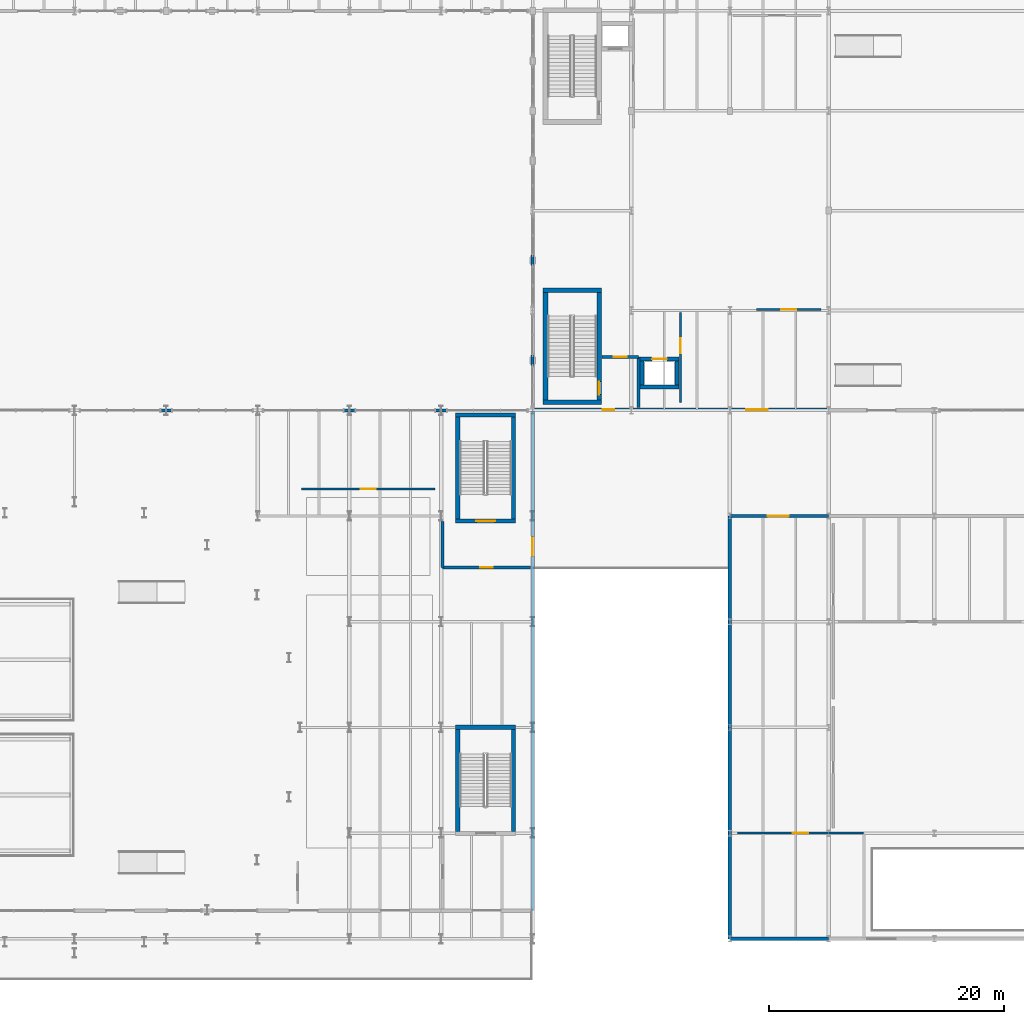
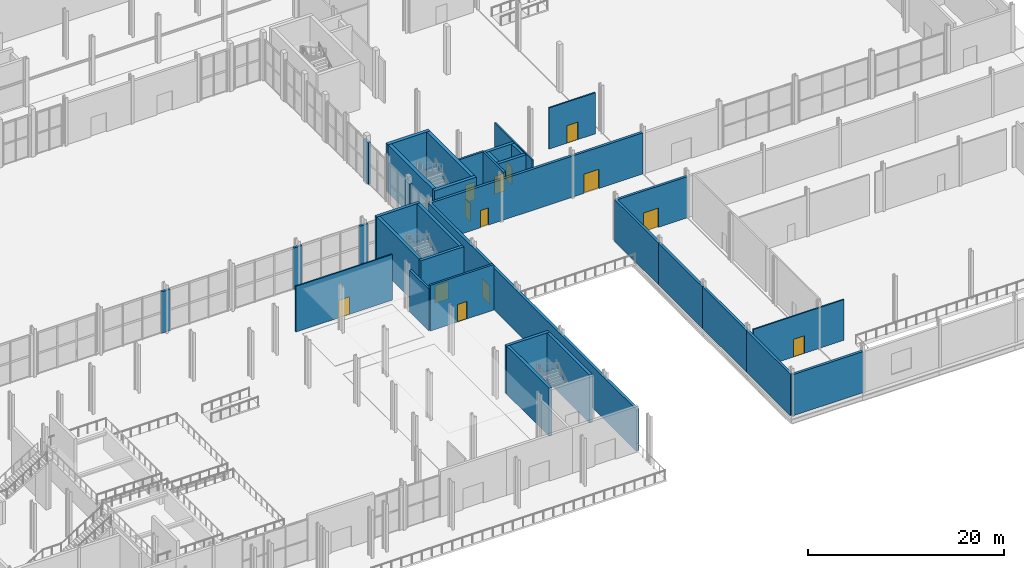
# One storey, part 57 of 84: 36 walls, 13 doors, 13 openings.
"""IFC4 building model written with IfcOpenShell, lengths in metres."""

from ifc_helpers import new_model, si_unit, direction, frame, frame_2d, origin, place, context, subcontext, project, spatial, rectangle, extrude, material, layer, layer_set, type_object, element, fill, save


model = new_model("IFC4")

# Units and contexts
model_context = context("Model", 3, precision=1e-05, world=origin(), true_north=direction((0.0, 1.0)))
body_context = subcontext(model_context, "Body", "Model", "MODEL_VIEW")
ifc_project = project(units=[si_unit("LENGTHUNIT", "METRE"), si_unit("AREAUNIT", "SQUARE_METRE"), si_unit("VOLUMEUNIT", "CUBIC_METRE"), si_unit("PLANEANGLEUNIT", "RADIAN"), si_unit("MASSUNIT", "GRAM", prefix="KILO")], contexts=[model_context])

# Site, building, storey
site_placement = place(None, origin())
site = spatial("IfcSite", under=ifc_project, at=site_placement, CompositionType="ELEMENT")
building_placement = place(site_placement, origin())
building = spatial("IfcBuilding", under=site, at=building_placement, Name="Sefraquen Railside Congress Hotel", CompositionType="ELEMENT")
storey_placement = place(building_placement, origin())
storey = spatial("IfcBuildingStorey", under=building, at=storey_placement, Name="L00", CompositionType="ELEMENT", Elevation=0.0)

# Walls
ifc_material_1 = material(Name="Concrete C50/60", Category="concrete")
ifc_layer_1 = layer(ifc_material_1, 0.35009765625)
ifc_layer_set_1 = layer_set([ifc_layer_1], Name="Concrete C50/60")
wall_type_1 = type_object("IfcWallType", Name="TW-CW-350", PredefinedType="SHEAR", material=ifc_layer_set_1)
wall_1_placement = place(storey_placement, frame((96.64990234375, 27.014892578125, 0.0), z_axis=(0.0, 0.0, 1.0), x_axis=(1.0, 0.0, 0.0)))
element("IfcWall", 1, at=wall_1_placement, inside=storey, type_object=wall_type_1, Name="Core shear wall ST-C03 N L00", PredefinedType="SHEAR", context=body_context, shape_type="SweptSolid", body=[
    extrude(rectangle(XDim=5.10009765625, YDim=0.35009765625, at=frame_2d((2.550048828125, 0.0))), origin(), (0.0, 0.0, 1.0), 6.0),
])
for number, where, z_axis, x_axis, name in (
    (2, (96.824951171875, 18.159912109375, 0.0), (0.0, 0.0, 1.0), (0.0, 1.0, 0.0), "Core shear wall ST-C03 W L00"),
    (3, (101.574951171875, 18.159912109375, 0.0), (0.0, 0.0, 1.0), (0.0, 1.0, 0.0), "Core shear wall ST-C03 E L00"),
):
    element("IfcWall", number, at=place(storey_placement, frame(where, z_axis=z_axis, x_axis=x_axis)), inside=storey, type_object=wall_type_1, Name=name, PredefinedType="SHEAR", context=body_context, shape_type="SweptSolid", body=[
        extrude(rectangle(XDim=8.68017578125, YDim=0.35009765625, at=frame_2d((4.340087890625, 0.0))), origin(), (0.0, 0.0, 1.0), 6.0),
    ])
wall_2_placement = place(storey_placement, frame((96.64990234375, 53.60498046875, 0.0), z_axis=(0.0, 0.0, 1.0), x_axis=(1.0, 0.0, 0.0)))
element("IfcWall", 4, at=wall_2_placement, inside=storey, type_object=wall_type_1, Name="Core shear wall ST-C04 N L00", PredefinedType="SHEAR", context=body_context, shape_type="SweptSolid", body=[
    extrude(rectangle(XDim=5.10009765625, YDim=0.35009765625, at=frame_2d((2.550048828125, 0.0))), origin(), (0.0, 0.0, 1.0), 6.0),
])

# Wall, opening, door
wall_3_placement = place(storey_placement, frame((96.64990234375, 44.574951171875, 0.0), z_axis=(0.0, 0.0, 1.0), x_axis=(1.0, 0.0, 0.0)))
wall_3 = element("IfcWall", 5, at=wall_3_placement, inside=storey, type_object=wall_type_1, Name="Core shear wall ST-C04 S L00", PredefinedType="SHEAR", context=body_context, shape_type="SweptSolid", body=[
    extrude(rectangle(XDim=5.10009765625, YDim=0.35009765625, at=frame_2d((2.550048828125, 0.0))), origin(), (0.0, 0.0, 1.0), 6.0),
])
opening_1_placement = place(wall_3_placement, frame((1.75, 0.0, 0.0)))
opening_1 = element("IfcOpeningElement", 6, at=opening_1_placement, cuts=wall_3, Name="Opening FD-02", PredefinedType="OPENING", context=body_context, shape_type="SweptSolid", body=[
    extrude(rectangle(XDim=1.60009765625, YDim=2.199951171875, at=frame_2d((0.800048828125, 1.10009765625))), frame((0.0, 0.18505859375, 0.0), z_axis=(0.0, -1.0, 0.0), x_axis=(1.0, 0.0, 0.0)), (0.0, 0.0, 1.0), 0.3701171875),
])
ifc_material_2 = material(Name="Fire-rated steel", Category="steel")
door_type_1 = type_object("IfcDoorType", Name="TD-FD-02", OperationType="NOTDEFINED", PredefinedType="DOOR", material=ifc_material_2)
door_1_placement = place(opening_1_placement, frame((1.60009765625, 0.0, 0.0), z_axis=(0.0, 0.0, 1.0), x_axis=(-1.0, 0.0, 0.0)))
door_1 = element("IfcDoor", 7, at=door_1_placement, inside=storey, type_object=door_type_1, Name="Pressurized stair ST-C04 fire door L00", OperationType="SINGLE_SWING_LEFT", OverallHeight=2.199951171875, OverallWidth=1.60009765625, PredefinedType="DOOR", context=body_context, shape_type="SweptSolid", body=[
    extrude(rectangle(XDim=1.60009765625, YDim=2.199951171875, at=frame_2d((0.800048828125, 1.10009765625))), frame((0.0, 0.02490234375, 0.0), z_axis=(0.0, -1.0, 0.0), x_axis=(1.0, 0.0, 0.0)), (0.0, 0.0, 1.0), 0.050048828125),
])
fill(opening_1, door_1)

# Walls
for number, where, z_axis, x_axis, name in (
    (8, (96.824951171875, 44.75, 0.0), (0.0, 0.0, 1.0), (0.0, 1.0, 0.0), "Core shear wall ST-C04 W L00"),
    (9, (101.574951171875, 44.75, 0.0), (0.0, 0.0, 1.0), (0.0, 1.0, 0.0), "Core shear wall ST-C04 E L00"),
):
    element("IfcWall", number, at=place(storey_placement, frame(where, z_axis=z_axis, x_axis=x_axis)), inside=storey, type_object=wall_type_1, Name=name, PredefinedType="SHEAR", context=body_context, shape_type="SweptSolid", body=[
        extrude(rectangle(XDim=8.679931640625, YDim=0.35009765625, at=frame_2d((4.33984375, 0.0))), origin(), (0.0, 0.0, 1.0), 6.0),
    ])

# Wall, opening, door
wall_4_placement = place(storey_placement, frame((112.330078125, 58.364990234375, 0.0), z_axis=(0.0, 0.0, 1.0), x_axis=(1.0, 0.0, 0.0)))
wall_4 = element("IfcWall", 10, at=wall_4_placement, inside=storey, type_object=wall_type_1, Name="Lift SL-01 shaft wall N L00", PredefinedType="SHEAR", context=body_context, shape_type="SweptSolid", body=[
    extrude(rectangle(XDim=3.33984375, YDim=0.35009765625, at=frame_2d((1.669921875, 0.0))), origin(), (0.0, 0.0, 1.0), 5.699951171875),
])
opening_2_placement = place(wall_4_placement, frame((1.044921875, 0.0, 0.0)))
opening_2 = element("IfcOpeningElement", 11, at=opening_2_placement, cuts=wall_4, Name="Opening LD-02", PredefinedType="OPENING", context=body_context, shape_type="SweptSolid", body=[
    extrude(rectangle(XDim=1.25, YDim=2.25, at=frame_2d((0.625, 1.125))), frame((0.0, 0.18505859375, 0.0), z_axis=(0.0, -1.0, 0.0), x_axis=(1.0, 0.0, 0.0)), (0.0, 0.0, 1.0), 0.3701171875),
])
ifc_material_3 = material(Name="Brushed stainless steel", Category="steel")
door_type_2 = type_object("IfcDoorType", Name="TD-LD-02", OperationType="NOTDEFINED", PredefinedType="DOOR", material=ifc_material_3)
door_2_placement = place(opening_2_placement, origin())
door_2 = element("IfcDoor", 12, at=door_2_placement, inside=storey, type_object=door_type_2, Name="Lift landing door SL-01 L00", OperationType="SLIDING_TO_LEFT", OverallHeight=2.25, OverallWidth=1.25, PredefinedType="DOOR", context=body_context, shape_type="SweptSolid", body=[
    extrude(rectangle(XDim=1.25, YDim=2.25, at=frame_2d((0.625, 1.125))), frame((0.0, 0.02490234375, 0.0), z_axis=(0.0, -1.0, 0.0), x_axis=(1.0, 0.0, 0.0)), (0.0, 0.0, 1.0), 0.050048828125),
])
fill(opening_2, door_2)

# Walls
wall_5_placement = place(storey_placement, frame((112.330078125, 55.97509765625, 0.0), z_axis=(0.0, 0.0, 1.0), x_axis=(1.0, 0.0, 0.0)))
element("IfcWall", 13, at=wall_5_placement, inside=storey, type_object=wall_type_1, Name="Lift SL-01 shaft wall S L00", PredefinedType="SHEAR", context=body_context, shape_type="SweptSolid", body=[
    extrude(rectangle(XDim=3.33984375, YDim=0.35009765625, at=frame_2d((1.669921875, 0.0))), origin(), (0.0, 0.0, 1.0), 5.699951171875),
])
for number, where, z_axis, x_axis, name in (
    (14, (112.5048828125, 56.14990234375, 0.0), (0.0, 0.0, 1.0), (0.0, 1.0, 0.0), "Lift SL-01 shaft wall W L00"),
    (15, (115.4951171875, 56.14990234375, 0.0), (0.0, 0.0, 1.0), (0.0, 1.0, 0.0), "Lift SL-01 shaft wall E L00"),
):
    element("IfcWall", number, at=place(storey_placement, frame(where, z_axis=z_axis, x_axis=x_axis)), inside=storey, type_object=wall_type_1, Name=name, PredefinedType="SHEAR", context=body_context, shape_type="SweptSolid", body=[
        extrude(rectangle(XDim=2.0400390625, YDim=0.35009765625, at=frame_2d((1.02001953125, 0.0))), origin(), (0.0, 0.0, 1.0), 5.699951171875),
    ])
ifc_layer_2 = layer(ifc_material_1, 0.39990234375)
ifc_layer_set_2 = layer_set([ifc_layer_2], Name="Concrete C50/60")
wall_type_2 = type_object("IfcWallType", Name="TW-CW-400", PredefinedType="SHEAR", material=ifc_layer_set_2)
for number, where, z_axis, x_axis, name in (
    (16, (104.10009765625, 64.2119140625, 0.0), (0.0, 0.0, 1.0), (1.0, 0.0, 0.0), "Core shear wall ST-M02 N L00"),
    (17, (104.10009765625, 54.699951171875, 0.0), (0.0, 0.0, 1.0), (1.0, 0.0, 0.0), "Core shear wall ST-M02 S L00"),
):
    element("IfcWall", number, at=place(storey_placement, frame(where, z_axis=z_axis, x_axis=x_axis)), inside=storey, type_object=wall_type_2, Name=name, PredefinedType="SHEAR", context=body_context, shape_type="SweptSolid", body=[
        extrude(rectangle(XDim=4.9599609375, YDim=0.39990234375, at=frame_2d((2.47998046875, 0.0))), origin(), (0.0, 0.0, 1.0), 6.0),
    ])
wall_6_placement = place(storey_placement, frame((104.300048828125, 54.89990234375, 0.0), z_axis=(0.0, 0.0, 1.0), x_axis=(0.0, 1.0, 0.0)))
element("IfcWall", 18, at=wall_6_placement, inside=storey, type_object=wall_type_2, Name="Core shear wall ST-M02 W L00", PredefinedType="SHEAR", context=body_context, shape_type="SweptSolid", body=[
    extrude(rectangle(XDim=9.112060546875, YDim=0.39990234375, at=frame_2d((4.55615234375, 0.0))), origin(), (0.0, 0.0, 1.0), 6.0),
])

# Wall, opening, door
wall_7_placement = place(storey_placement, frame((108.860107421875, 54.89990234375, 0.0), z_axis=(0.0, 0.0, 1.0), x_axis=(0.0, 1.0, 0.0)))
wall_7 = element("IfcWall", 19, at=wall_7_placement, inside=storey, type_object=wall_type_2, Name="Core shear wall ST-M02 E L00", PredefinedType="SHEAR", context=body_context, shape_type="SweptSolid", body=[
    extrude(rectangle(XDim=9.112060546875, YDim=0.39990234375, at=frame_2d((4.55615234375, 0.0))), origin(), (0.0, 0.0, 1.0), 6.0),
])
opening_3_placement = place(wall_7_placement, frame((0.43994140625, 0.0, 0.0)))
opening_3 = element("IfcOpeningElement", 20, at=opening_3_placement, cuts=wall_7, Name="Opening FD-04", PredefinedType="OPENING", context=body_context, shape_type="SweptSolid", body=[
    extrude(rectangle(XDim=1.10009765625, YDim=2.199951171875, at=frame_2d((0.550048828125, 1.10009765625))), frame((0.0, 0.2099609375, 0.0), z_axis=(0.0, -1.0, 0.0), x_axis=(1.0, 0.0, 0.0)), (0.0, 0.0, 1.0), 0.419921875),
])
door_type_3 = type_object("IfcDoorType", Name="TD-FD-04", OperationType="NOTDEFINED", PredefinedType="DOOR", material=ifc_material_2)
door_3_placement = place(opening_3_placement, origin())
door_3 = element("IfcDoor", 21, at=door_3_placement, inside=storey, type_object=door_type_3, Name="Pressurized stair ST-M02 fire door L00", OperationType="SINGLE_SWING_RIGHT", OverallHeight=2.199951171875, OverallWidth=1.10009765625, PredefinedType="DOOR", context=body_context, shape_type="SweptSolid", body=[
    extrude(rectangle(XDim=1.10009765625, YDim=2.199951171875, at=frame_2d((0.550048828125, 1.10009765625))), frame((0.0, 0.02490234375, 0.0), z_axis=(0.0, -1.0, 0.0), x_axis=(1.0, 0.0, 0.0)), (0.0, 0.0, 1.0), 0.050048828125),
])
fill(opening_3, door_3)

# Walls
ifc_material_4 = material(Name="Ochre Rabat calcarenite limestone and Concrete C40/50 backing", Category="masonry")
ifc_layer_3 = layer(ifc_material_4, 0.280029296875)
ifc_layer_set_3 = layer_set([ifc_layer_3], Name="Ochre Rabat calcarenite limestone and Concrete C40/50 backing")
wall_type_3 = type_object("IfcWallType", Name="TW-EW-280", PredefinedType="STANDARD", material=ifc_layer_set_3)
for number, where, z_axis, x_axis, name in (
    (22, (71.52001953125, 54.0, 0.0), (0.0, 0.0, 1.0), (1.0, 0.0, 0.0), "Congress courtyard north curtain wall L00-2 column pier closure 1"),
    (23, (87.1201171875, 54.0, 0.0), (0.0, 0.0, 1.0), (1.0, 0.0, 0.0), "Congress courtyard north curtain wall L00-3 column pier closure 1"),
    (24, (94.919921875, 54.0, 0.0), (0.0, 0.0, 1.0), (1.0, 0.0, 0.0), "Congress courtyard north curtain wall L00-3 column pier closure 2"),
):
    element("IfcWall", number, at=place(storey_placement, frame(where, z_axis=z_axis, x_axis=x_axis)), inside=storey, type_object=wall_type_3, Name=name, PredefinedType="STANDARD", context=body_context, shape_type="SweptSolid", body=[
        extrude(rectangle(XDim=0.9599609375, YDim=0.260009765625, at=frame_2d((0.47998046875, 0.0))), origin(), (0.0, 0.0, 1.0), 5.18994140625),
    ])

# Wall, opening, door
wall_8_placement = place(storey_placement, frame((120.0, 45.0, 0.0), z_axis=(0.0, 0.0, 1.0), x_axis=(1.0, 0.0, 0.0)))
wall_8 = element("IfcWall", 25, at=wall_8_placement, inside=storey, type_object=wall_type_3, Name="Thermal Spa L00 north garden wall 1", PredefinedType="STANDARD", context=body_context, shape_type="SweptSolid", body=[
    extrude(rectangle(XDim=8.39990234375, YDim=0.280029296875, at=frame_2d((4.199951171875, 0.0))), origin(), (0.0, 0.0, 1.0), 5.139892578125),
])
opening_4_placement = place(wall_8_placement, frame((3.199951171875, 0.0, 0.0)))
opening_4 = element("IfcOpeningElement", 26, at=opening_4_placement, cuts=wall_8, Name="Opening ED-07", PredefinedType="OPENING", context=body_context, shape_type="SweptSolid", body=[
    extrude(rectangle(XDim=1.800048828125, YDim=2.39990234375, at=frame_2d((0.89990234375, 1.199951171875))), frame((0.0, 0.14990234375, 0.0), z_axis=(0.0, -1.0, 0.0), x_axis=(1.0, 0.0, 0.0)), (0.0, 0.0, 1.0), 0.300048828125),
])
ifc_material_5 = material(Name="Bronze and low-E fire-rated glass", Category="glass")
door_type_4 = type_object("IfcDoorType", Name="TD-ED-07", OperationType="NOTDEFINED", PredefinedType="DOOR", material=ifc_material_5)
door_4_placement = place(opening_4_placement, origin())
door_4 = element("IfcDoor", 27, at=door_4_placement, inside=storey, type_object=door_type_4, Name="Thermal Spa courtyard entrance door", OperationType="DOUBLE_SWING_LEFT", OverallHeight=2.39990234375, OverallWidth=1.800048828125, PredefinedType="DOOR", context=body_context, shape_type="SweptSolid", body=[
    extrude(rectangle(XDim=1.800048828125, YDim=2.39990234375, at=frame_2d((0.89990234375, 1.199951171875))), frame((0.0, 0.02490234375, 0.0), z_axis=(0.0, -1.0, 0.0), x_axis=(1.0, 0.0, 0.0)), (0.0, 0.0, 1.0), 0.050048828125),
])
fill(opening_4, door_4)

# Walls
for number, where, z_axis, x_axis, name in (
    (28, (103.199951171875, 57.77001953125, 0.0), (0.0, 0.0, 1.0), (0.0, 1.0, 0.0), "Courtyard east arcade curtain wall UCW-16 column pier closure 1"),
    (29, (103.199951171875, 66.27001953125, 0.0), (0.0, 0.0, 1.0), (0.0, 1.0, 0.0), "Courtyard east arcade curtain wall UCW-18 column pier closure 1"),
):
    element("IfcWall", number, at=place(storey_placement, frame(where, z_axis=z_axis, x_axis=x_axis)), inside=storey, type_object=wall_type_3, Name=name, PredefinedType="STANDARD", context=body_context, shape_type="SweptSolid", body=[
        extrude(rectangle(XDim=0.9599609375, YDim=0.260009765625, at=frame_2d((0.47998046875, 0.0))), origin(), (0.0, 0.0, 1.0), 5.199951171875),
    ])
ifc_layer_4 = layer(ifc_material_4, 0.300048828125)
ifc_layer_set_4 = layer_set([ifc_layer_4], Name="Ochre Rabat calcarenite limestone and Concrete C40/50 backing")
wall_type_4 = type_object("IfcWallType", Name="TW-EW-300", PredefinedType="STANDARD", material=ifc_layer_set_4)
wall_9_placement = place(storey_placement, frame((120.0, 9.0, 0.0), z_axis=(0.0, 0.0, 1.0), x_axis=(1.0, 0.0, 0.0)))
element("IfcWall", 30, at=wall_9_placement, inside=storey, type_object=wall_type_4, Name="Thermal Spa L00 south limestone wall 1", PredefinedType="STANDARD", context=body_context, shape_type="SweptSolid", body=[
    extrude(rectangle(XDim=8.39990234375, YDim=0.300048828125, at=frame_2d((4.199951171875, 0.0))), origin(), (0.0, 0.0, 1.0), 5.139892578125),
])
for number, where, z_axis, x_axis, name in (
    (31, (120.0, 9.0, 0.0), (0.0, 0.0, 1.0), (0.0, 1.0, 0.0), "Thermal Spa L00 west garden wall 1"),
    (32, (120.0, 18.0, 0.0), (0.0, 0.0, 1.0), (0.0, 1.0, 0.0), "Thermal Spa L00 west garden wall 2"),
    (33, (120.0, 27.0, 0.0), (0.0, 0.0, 1.0), (0.0, 1.0, 0.0), "Thermal Spa L00 west garden wall 3"),
    (34, (120.0, 36.0, 0.0), (0.0, 0.0, 1.0), (0.0, 1.0, 0.0), "Thermal Spa L00 west garden wall 4"),
):
    element("IfcWall", number, at=place(storey_placement, frame(where, z_axis=z_axis, x_axis=x_axis)), inside=storey, type_object=wall_type_4, Name=name, PredefinedType="STANDARD", context=body_context, shape_type="SweptSolid", body=[
        extrude(rectangle(XDim=9.0, YDim=0.300048828125, at=frame_2d((4.5, 0.0))), origin(), (0.0, 0.0, 1.0), 5.199951171875),
    ])

# Wall, openings, doors
wall_10_placement = place(storey_placement, frame((103.199951171875, 54.050048828125, 0.0), z_axis=(0.0, 0.0, 1.0), x_axis=(1.0, 0.0, 0.0)))
wall_10 = element("IfcWall", 35, at=wall_10_placement, inside=storey, type_object=wall_type_4, Name="Meeting Wing L00 south facade wall", PredefinedType="STANDARD", context=body_context, shape_type="SweptSolid", body=[
    extrude(rectangle(XDim=25.150146484375, YDim=0.300048828125, at=frame_2d((12.5751953125, 0.0))), origin(), (0.0, 0.0, 1.0), 5.139892578125),
])
opening_5_placement = place(wall_10_placement, frame((5.949951171875, 0.0, 0.0)))
opening_5 = element("IfcOpeningElement", 36, at=opening_5_placement, cuts=wall_10, Name="Opening FD-05", PredefinedType="OPENING", context=body_context, shape_type="SweptSolid", body=[
    extrude(rectangle(XDim=1.0, YDim=2.14990234375, at=frame_2d((0.5, 1.074951171875))), frame((0.0, 0.159912109375, 0.0), z_axis=(0.0, -1.0, 0.0), x_axis=(1.0, 0.0, 0.0)), (0.0, 0.0, 1.0), 0.320068359375),
])
opening_6_placement = place(wall_10_placement, frame((18.199951171875, 0.0, 0.0)))
opening_6 = element("IfcOpeningElement", 37, at=opening_6_placement, cuts=wall_10, Name="Opening ED-07", PredefinedType="OPENING", context=body_context, shape_type="SweptSolid", body=[
    extrude(rectangle(XDim=1.800048828125, YDim=2.39990234375, at=frame_2d((0.89990234375, 1.199951171875))), frame((0.0, 0.159912109375, 0.0), z_axis=(0.0, -1.0, 0.0), x_axis=(1.0, 0.0, 0.0)), (0.0, 0.0, 1.0), 0.320068359375),
])
door_5_placement = place(opening_6_placement, frame((1.800048828125, 0.0, 0.0), z_axis=(0.0, 0.0, 1.0), x_axis=(-1.0, 0.0, 0.0)))
door_5 = element("IfcDoor", 38, at=door_5_placement, inside=storey, type_object=door_type_4, Name="Meeting Wing south garden exit door", OperationType="DOUBLE_SWING_LEFT", OverallHeight=2.39990234375, OverallWidth=1.800048828125, PredefinedType="DOOR", context=body_context, shape_type="SweptSolid", body=[
    extrude(rectangle(XDim=1.800048828125, YDim=2.39990234375, at=frame_2d((0.89990234375, 1.199951171875))), frame((0.0, 0.02490234375, 0.0), z_axis=(0.0, -1.0, 0.0), x_axis=(1.0, 0.0, 0.0)), (0.0, 0.0, 1.0), 0.050048828125),
])
fill(opening_6, door_5)
door_type_5 = type_object("IfcDoorType", Name="TD-FD-05", OperationType="NOTDEFINED", PredefinedType="DOOR", material=ifc_material_2)
door_6_placement = place(opening_5_placement, frame((1.0, 0.0, 0.0), z_axis=(0.0, 0.0, 1.0), x_axis=(-1.0, 0.0, 0.0)))
door_6 = element("IfcDoor", 39, at=door_6_placement, inside=storey, type_object=door_type_5, Name="Meeting South stair final exit door", OperationType="SINGLE_SWING_RIGHT", OverallHeight=2.14990234375, OverallWidth=1.0, PredefinedType="DOOR", context=body_context, shape_type="SweptSolid", body=[
    extrude(rectangle(XDim=1.0, YDim=2.14990234375, at=frame_2d((0.5, 1.074951171875))), frame((0.0, 0.02490234375, 0.0), z_axis=(0.0, -1.0, 0.0), x_axis=(1.0, 0.0, 0.0)), (0.0, 0.0, 1.0), 0.050048828125),
])
fill(opening_5, door_6)

# Wall, opening, door
ifc_layer_5 = layer(ifc_material_4, 0.320068359375)
ifc_layer_set_5 = layer_set([ifc_layer_5], Name="Ochre Rabat calcarenite limestone and Concrete C40/50 backing")
wall_type_5 = type_object("IfcWallType", Name="TW-EW-320", PredefinedType="STANDARD", material=ifc_layer_set_5)
wall_11_placement = place(storey_placement, frame((103.199951171875, 11.39990234375, 0.0), z_axis=(0.0, 0.0, 1.0), x_axis=(0.0, 1.0, 0.0)))
wall_11 = element("IfcWall", 40, at=wall_11_placement, inside=storey, type_object=wall_type_5, Name="Congress Hall L00 east acoustic facade wall", PredefinedType="STANDARD", context=body_context, shape_type="SweptSolid", body=[
    extrude(rectangle(XDim=42.550048828125, YDim=0.320068359375, at=frame_2d((21.27490234375, 0.0))), origin(), (0.0, 0.0, 1.0), 5.199951171875),
])
opening_7_placement = place(wall_11_placement, frame((30.199951171875, 0.0, 0.0)))
opening_7 = element("IfcOpeningElement", 41, at=opening_7_placement, cuts=wall_11, Name="Opening ED-08", PredefinedType="OPENING", context=body_context, shape_type="SweptSolid", body=[
    extrude(rectangle(XDim=1.60009765625, YDim=2.300048828125, at=frame_2d((0.800048828125, 1.14990234375))), frame((0.0, 0.169921875, 0.0), z_axis=(0.0, -1.0, 0.0), x_axis=(1.0, 0.0, 0.0)), (0.0, 0.0, 1.0), 0.340087890625),
])
door_type_6 = type_object("IfcDoorType", Name="TD-ED-08", OperationType="NOTDEFINED", PredefinedType="DOOR", material=ifc_material_5)
door_7_placement = place(opening_7_placement, frame((1.60009765625, 0.0, 0.0), z_axis=(0.0, 0.0, 1.0), x_axis=(-1.0, 0.0, 0.0)))
door_7 = element("IfcDoor", 42, at=door_7_placement, inside=storey, type_object=door_type_6, Name="Congress North-East stair final exit door", OperationType="DOUBLE_SWING_LEFT", OverallHeight=2.300048828125, OverallWidth=1.60009765625, PredefinedType="DOOR", context=body_context, shape_type="SweptSolid", body=[
    extrude(rectangle(XDim=1.60009765625, YDim=2.300048828125, at=frame_2d((0.800048828125, 1.14990234375))), frame((0.0, 0.02490234375, 0.0), z_axis=(0.0, -1.0, 0.0), x_axis=(1.0, 0.0, 0.0)), (0.0, 0.0, 1.0), 0.050048828125),
])
fill(opening_7, door_7)

ifc_material_6 = material(Name="Concrete C40/50", Category="concrete")
ifc_layer_6 = layer(ifc_material_6, 0.239990234375)
ifc_layer_set_6 = layer_set([ifc_layer_6], Name="Concrete C40/50")
wall_type_6 = type_object("IfcWallType", Name="TW-FW-240", PredefinedType="STANDARD", material=ifc_layer_set_6)
wall_12_placement = place(storey_placement, frame((95.52001953125, 40.6201171875, 0.0), z_axis=(0.0, 0.0, 1.0), x_axis=(1.0, 0.0, 0.0)))
wall_12 = element("IfcWall", 43, at=wall_12_placement, inside=storey, type_object=wall_type_6, Name="Congress NE stair discharge EI 120 south fire wall", PredefinedType="STANDARD", context=body_context, shape_type="SweptSolid", body=[
    extrude(rectangle(XDim=7.5, YDim=0.239990234375, at=frame_2d((3.75, 0.0))), origin(), (0.0, 0.0, 1.0), 5.699951171875),
])
opening_8_placement = place(wall_12_placement, frame((3.199951171875, 0.0, 0.0)))
opening_8 = element("IfcOpeningElement", 44, at=opening_8_placement, cuts=wall_12, Name="Opening FD-04", PredefinedType="OPENING", context=body_context, shape_type="SweptSolid", body=[
    extrude(rectangle(XDim=1.10009765625, YDim=2.199951171875, at=frame_2d((0.550048828125, 1.10009765625))), frame((0.0, 0.1298828125, 0.0), z_axis=(0.0, -1.0, 0.0), x_axis=(1.0, 0.0, 0.0)), (0.0, 0.0, 1.0), 0.260009765625),
])
door_8_placement = place(opening_8_placement, origin())
door_8 = element("IfcDoor", 45, at=door_8_placement, inside=storey, type_object=door_type_3, Name="Congress NE stair discharge EI 120 south fire wall self-closing fire door", OperationType="SINGLE_SWING_RIGHT", OverallHeight=2.199951171875, OverallWidth=1.10009765625, PredefinedType="DOOR", context=body_context, shape_type="SweptSolid", body=[
    extrude(rectangle(XDim=1.10009765625, YDim=2.199951171875, at=frame_2d((0.550048828125, 1.10009765625))), frame((0.0, 0.02490234375, 0.0), z_axis=(0.0, -1.0, 0.0), x_axis=(1.0, 0.0, 0.0)), (0.0, 0.0, 1.0), 0.050048828125),
])
fill(opening_8, door_8)

# Walls
wall_13_placement = place(storey_placement, frame((95.52001953125, 40.6201171875, 0.0), z_axis=(0.0, 0.0, 1.0), x_axis=(0.0, 1.0, 0.0)))
element("IfcWall", 46, at=wall_13_placement, inside=storey, type_object=wall_type_6, Name="Congress NE stair discharge EI 120 west fire wall", PredefinedType="STANDARD", context=body_context, shape_type="SweptSolid", body=[
    extrude(rectangle(XDim=3.929931640625, YDim=0.239990234375, at=frame_2d((1.96484375, 0.0))), origin(), (0.0, 0.0, 1.0), 5.199951171875),
])
wall_14_placement = place(storey_placement, frame((112.219970703125, 54.219970703125, 0.0), z_axis=(0.0, 0.0, 1.0), x_axis=(0.0, 1.0, 0.0)))
element("IfcWall", 47, at=wall_14_placement, inside=storey, type_object=wall_type_6, Name="Meeting south stair discharge EI 120 east fire wall", PredefinedType="STANDARD", context=body_context, shape_type="SweptSolid", body=[
    extrude(rectangle(XDim=4.330078125, YDim=0.239990234375, at=frame_2d((2.1650390625, 0.0))), origin(), (0.0, 0.0, 1.0), 5.699951171875),
])

# Wall, opening, door
wall_15_placement = place(storey_placement, frame((109.10009765625, 58.550048828125, 0.0), z_axis=(0.0, 0.0, 1.0), x_axis=(1.0, 0.0, 0.0)))
wall_15 = element("IfcWall", 48, at=wall_15_placement, inside=storey, type_object=wall_type_6, Name="Meeting south stair discharge EI 120 north fire wall", PredefinedType="STANDARD", context=body_context, shape_type="SweptSolid", body=[
    extrude(rectangle(XDim=3.119873046875, YDim=0.239990234375, at=frame_2d((1.56005859375, 0.0))), origin(), (0.0, 0.0, 1.0), 5.699951171875),
])
opening_9_placement = place(wall_15_placement, frame((1.0, 0.0, 0.0)))
opening_9 = element("IfcOpeningElement", 49, at=opening_9_placement, cuts=wall_15, Name="Opening FD-04", PredefinedType="OPENING", context=body_context, shape_type="SweptSolid", body=[
    extrude(rectangle(XDim=1.10009765625, YDim=2.199951171875, at=frame_2d((0.550048828125, 1.10009765625))), frame((0.0, 0.1298828125, 0.0), z_axis=(0.0, -1.0, 0.0), x_axis=(1.0, 0.0, 0.0)), (0.0, 0.0, 1.0), 0.260009765625),
])
door_9_placement = place(opening_9_placement, origin())
door_9 = element("IfcDoor", 50, at=door_9_placement, inside=storey, type_object=door_type_3, Name="Meeting south stair discharge EI 120 north fire wall self-closing fire door", OperationType="SINGLE_SWING_LEFT", OverallHeight=2.199951171875, OverallWidth=1.10009765625, PredefinedType="DOOR", context=body_context, shape_type="SweptSolid", body=[
    extrude(rectangle(XDim=1.10009765625, YDim=2.199951171875, at=frame_2d((0.550048828125, 1.10009765625))), frame((0.0, 0.02490234375, 0.0), z_axis=(0.0, -1.0, 0.0), x_axis=(1.0, 0.0, 0.0)), (0.0, 0.0, 1.0), 0.050048828125),
])
fill(opening_9, door_9)

ifc_material_7 = material(Name="Moisture-resistant gypsum board", Category="gypsum")
ifc_layer_7 = layer(ifc_material_7, 0.159912109375)
ifc_layer_set_7 = layer_set([ifc_layer_7], Name="Moisture-resistant gypsum board")
wall_type_7 = type_object("IfcWallType", Name="TW-PW-160", PredefinedType="PARTITIONING", material=ifc_layer_set_7)
wall_16_placement = place(storey_placement, frame((83.5, 47.300048828125, 0.0), z_axis=(0.0, 0.0, 1.0), x_axis=(1.0, 0.0, 0.0)))
wall_16 = element("IfcWall", 51, at=wall_16_placement, inside=storey, type_object=wall_type_7, Name="VIP Speaker Suite 01 enclosure wall", PredefinedType="PARTITIONING", context=body_context, shape_type="SweptSolid", body=[
    extrude(rectangle(XDim=11.39990234375, YDim=0.159912109375, at=frame_2d((5.699951171875, 0.0))), origin(), (0.0, 0.0, 1.0), 5.699951171875),
])
opening_10_placement = place(wall_16_placement, frame((5.050048828125, 0.0, 0.0)))
opening_10 = element("IfcOpeningElement", 52, at=opening_10_placement, cuts=wall_16, Name="Opening MD-02", PredefinedType="OPENING", context=body_context, shape_type="SweptSolid", body=[
    extrude(rectangle(XDim=1.300048828125, YDim=2.199951171875, at=frame_2d((0.64990234375, 1.10009765625))), frame((0.0, 0.08984375, 0.0), z_axis=(0.0, -1.0, 0.0), x_axis=(1.0, 0.0, 0.0)), (0.0, 0.0, 1.0), 0.179931640625),
])
ifc_material_8 = material(Name="Acoustic cedar veneer", Category="wood")
door_type_7 = type_object("IfcDoorType", Name="TD-MD-02", OperationType="NOTDEFINED", PredefinedType="DOOR", material=ifc_material_8)
door_10_placement = place(opening_10_placement, origin())
door_10 = element("IfcDoor", 53, at=door_10_placement, inside=storey, type_object=door_type_7, Name="VIP Speaker Suite 01 entrance door", OperationType="SINGLE_SWING_LEFT", OverallHeight=2.199951171875, OverallWidth=1.300048828125, PredefinedType="DOOR", context=body_context, shape_type="SweptSolid", body=[
    extrude(rectangle(XDim=1.300048828125, YDim=2.199951171875, at=frame_2d((0.64990234375, 1.10009765625))), frame((0.0, 0.02490234375, 0.0), z_axis=(0.0, -1.0, 0.0), x_axis=(1.0, 0.0, 0.0)), (0.0, 0.0, 1.0), 0.050048828125),
])
fill(opening_10, door_10)

wall_17_placement = place(storey_placement, frame((115.800048828125, 54.64990234375, 0.0), z_axis=(0.0, 0.0, 1.0), x_axis=(0.0, 1.0, 0.0)))
wall_17 = element("IfcWall", 54, at=wall_17_placement, inside=storey, type_object=wall_type_7, Name="Meeting Room 01 enclosure wall", PredefinedType="PARTITIONING", context=body_context, shape_type="SweptSolid", body=[
    extrude(rectangle(XDim=7.7001953125, YDim=0.159912109375, at=frame_2d((3.85009765625, 0.0))), origin(), (0.0, 0.0, 1.0), 5.699951171875),
])
opening_11_placement = place(wall_17_placement, frame((4.199951171875, 0.0, 0.0)))
opening_11 = element("IfcOpeningElement", 55, at=opening_11_placement, cuts=wall_17, Name="Opening MD-02", PredefinedType="OPENING", context=body_context, shape_type="SweptSolid", body=[
    extrude(rectangle(XDim=1.300048828125, YDim=2.199951171875, at=frame_2d((0.64990234375, 1.10009765625))), frame((0.0, 0.08984375, 0.0), z_axis=(0.0, -1.0, 0.0), x_axis=(1.0, 0.0, 0.0)), (0.0, 0.0, 1.0), 0.179931640625),
])
door_11_placement = place(opening_11_placement, origin())
door_11 = element("IfcDoor", 56, at=door_11_placement, inside=storey, type_object=door_type_7, Name="Meeting Room 01 entrance door", OperationType="SINGLE_SWING_LEFT", OverallHeight=2.199951171875, OverallWidth=1.300048828125, PredefinedType="DOOR", context=body_context, shape_type="SweptSolid", body=[
    extrude(rectangle(XDim=1.300048828125, YDim=2.199951171875, at=frame_2d((0.64990234375, 1.10009765625))), frame((0.0, 0.02490234375, 0.0), z_axis=(0.0, -1.0, 0.0), x_axis=(1.0, 0.0, 0.0)), (0.0, 0.0, 1.0), 0.050048828125),
])
fill(opening_11, door_11)

wall_18_placement = place(storey_placement, frame((122.25, 62.60009765625, 0.0), z_axis=(0.0, 0.0, 1.0), x_axis=(1.0, 0.0, 0.0)))
wall_18 = element("IfcWall", 57, at=wall_18_placement, inside=storey, type_object=wall_type_7, Name="Meeting Room 02 enclosure wall", PredefinedType="PARTITIONING", context=body_context, shape_type="SweptSolid", body=[
    extrude(rectangle(XDim=5.5, YDim=0.159912109375, at=frame_2d((2.75, 0.0))), origin(), (0.0, 0.0, 1.0), 5.139892578125),
])
opening_12_placement = place(wall_18_placement, frame((2.10009765625, 0.0, 0.0)))
opening_12 = element("IfcOpeningElement", 58, at=opening_12_placement, cuts=wall_18, Name="Opening MD-02", PredefinedType="OPENING", context=body_context, shape_type="SweptSolid", body=[
    extrude(rectangle(XDim=1.300048828125, YDim=2.199951171875, at=frame_2d((0.64990234375, 1.10009765625))), frame((0.0, 0.08984375, 0.0), z_axis=(0.0, -1.0, 0.0), x_axis=(1.0, 0.0, 0.0)), (0.0, 0.0, 1.0), 0.179931640625),
])
door_12_placement = place(opening_12_placement, origin())
door_12 = element("IfcDoor", 59, at=door_12_placement, inside=storey, type_object=door_type_7, Name="Meeting Room 02 entrance door", OperationType="SINGLE_SWING_RIGHT", OverallHeight=2.199951171875, OverallWidth=1.300048828125, PredefinedType="DOOR", context=body_context, shape_type="SweptSolid", body=[
    extrude(rectangle(XDim=1.300048828125, YDim=2.199951171875, at=frame_2d((0.64990234375, 1.10009765625))), frame((0.0, 0.02490234375, 0.0), z_axis=(0.0, -1.0, 0.0), x_axis=(1.0, 0.0, 0.0)), (0.0, 0.0, 1.0), 0.050048828125),
])
fill(opening_12, door_12)

wall_19_placement = place(storey_placement, frame((120.64990234375, 18.0, 0.0), z_axis=(0.0, 0.0, 1.0), x_axis=(1.0, 0.0, 0.0)))
wall_19 = element("IfcWall", 60, at=wall_19_placement, inside=storey, type_object=wall_type_7, Name="Thermal Spa Reception Lounge enclosure wall", PredefinedType="PARTITIONING", context=body_context, shape_type="SweptSolid", body=[
    extrude(rectangle(XDim=10.7001953125, YDim=0.159912109375, at=frame_2d((5.35009765625, 0.0))), origin(), (0.0, 0.0, 1.0), 5.090087890625),
])
opening_13_placement = place(wall_19_placement, frame((4.699951171875, 0.0, 0.0)))
opening_13 = element("IfcOpeningElement", 61, at=opening_13_placement, cuts=wall_19, Name="Opening MD-02", PredefinedType="OPENING", context=body_context, shape_type="SweptSolid", body=[
    extrude(rectangle(XDim=1.300048828125, YDim=2.199951171875, at=frame_2d((0.64990234375, 1.10009765625))), frame((0.0, 0.08984375, 0.0), z_axis=(0.0, -1.0, 0.0), x_axis=(1.0, 0.0, 0.0)), (0.0, 0.0, 1.0), 0.179931640625),
])
door_13_placement = place(opening_13_placement, origin())
door_13 = element("IfcDoor", 62, at=door_13_placement, inside=storey, type_object=door_type_7, Name="Thermal Spa Reception Lounge entrance door", OperationType="SINGLE_SWING_LEFT", OverallHeight=2.199951171875, OverallWidth=1.300048828125, PredefinedType="DOOR", context=body_context, shape_type="SweptSolid", body=[
    extrude(rectangle(XDim=1.300048828125, YDim=2.199951171875, at=frame_2d((0.64990234375, 1.10009765625))), frame((0.0, 0.02490234375, 0.0), z_axis=(0.0, -1.0, 0.0), x_axis=(1.0, 0.0, 0.0)), (0.0, 0.0, 1.0), 0.050048828125),
])
fill(opening_13, door_13)

save(model, "model.ifc")
